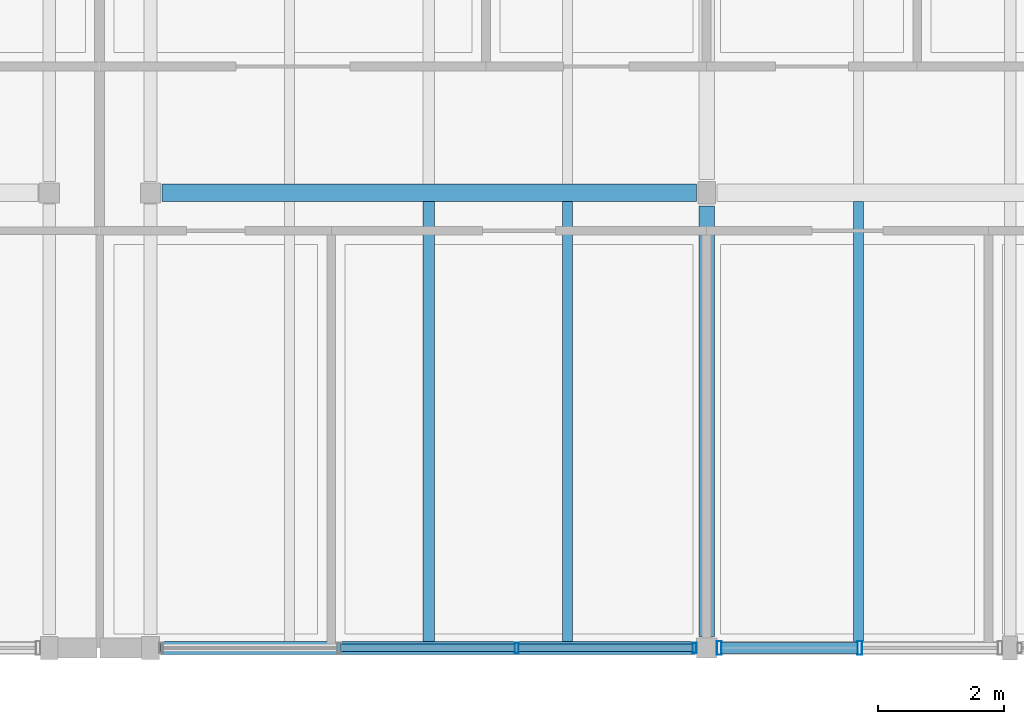
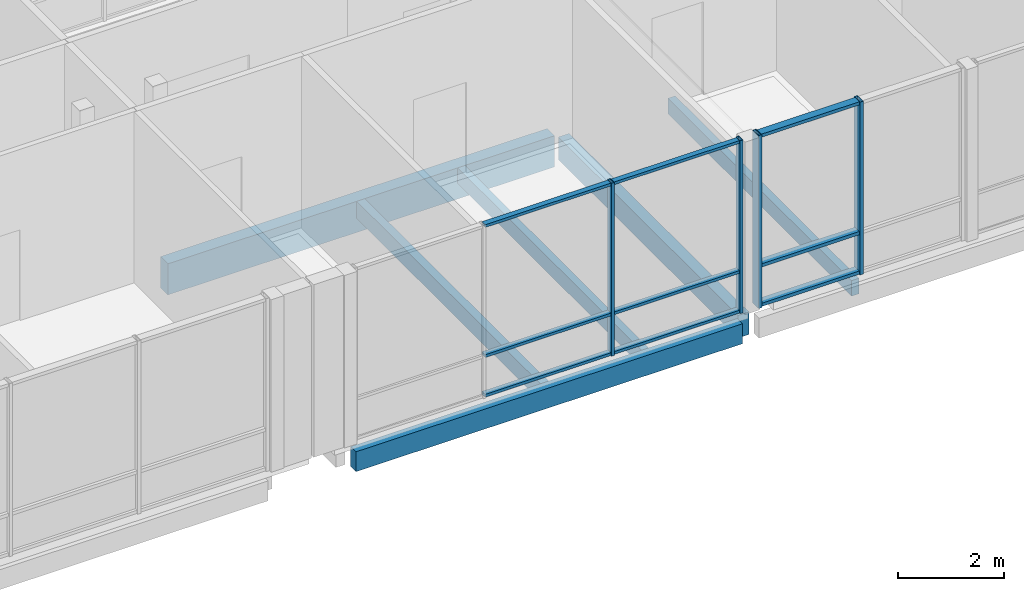
# One storey, part 33 of 115: 13 members, 6 beams, 2 elements without a shape of their own.
"""IFC4 building model written with IfcOpenShell, lengths in metres."""

from ifc_helpers import new_model, si_unit, direction, frame, origin, origin_2d, place, context, subcontext, project, spatial, rectangle, hollow_rectangle, extrude, material, material_profile, profile_set, type_object, element, aggregate, save


model = new_model("IFC4")

# Units and contexts
model_context = context("Model", 3, precision=1e-05, world=origin(), true_north=direction((0.0, 1.0)))
body_context = subcontext(model_context, "Body", "Model", "MODEL_VIEW")
ifc_project = project(units=[si_unit("LENGTHUNIT", "METRE"), si_unit("AREAUNIT", "SQUARE_METRE"), si_unit("VOLUMEUNIT", "CUBIC_METRE"), si_unit("PLANEANGLEUNIT", "RADIAN"), si_unit("MASSUNIT", "GRAM", prefix="KILO")], contexts=[model_context])

# Site, building, storey
site_placement = place(None, origin())
site = spatial("IfcSite", under=ifc_project, at=site_placement, CompositionType="ELEMENT")
building_placement = place(site_placement, origin())
building = spatial("IfcBuilding", under=site, at=building_placement, Name="Hawrajan Terrace Health Centre", CompositionType="ELEMENT")
storey_placement = place(building_placement, frame((0.0, 0.0, 9.0)))
storey = spatial("IfcBuildingStorey", under=building, at=storey_placement, Name="L02", CompositionType="ELEMENT", Elevation=9.0)

# Curtain wall, members
ifc_material_1 = material(Name="Anodized bronze aluminium and low-E solar glazing", Category="aluminium")
curtain_wall_type_1 = type_object("IfcCurtainWallType", Name="CW_Clerestory_SeriesG3", PredefinedType="USERDEFINED", material=ifc_material_1)
curtain_wall_1_placement = place(storey_placement, origin())
curtain_wall_1 = element("IfcCurtainWall", 1, at=curtain_wall_1_placement, inside=storey, type_object=curtain_wall_type_1, Name="Curtain wall CW-L02-138", ObjectType="UNITISED CURTAIN WALL", PredefinedType="USERDEFINED")
ifc_material_2 = material(Name="Anodized bronze aluminium 6063-T6", Category="aluminium")
ifc_material_profile_1 = material_profile(ifc_material_2, hollow_rectangle(XDim=0.06494140625, YDim=0.159912109375, WallThickness=0.00390625, at=origin_2d()), Name="CW MUL 65x160")
ifc_profile_set_1 = profile_set([ifc_material_profile_1], Name="Anodized bronze aluminium 6063-T6")
member_type_1 = type_object("IfcMemberType", Name="CWMullion_65x160", PredefinedType="MULLION", material=ifc_profile_set_1)
member_1_placement = place(storey_placement, frame((78.395751953125, 4.199951171875, -0.0048828125), z_axis=(0.0, 0.0, 1.0), x_axis=(1.0, 0.0, 0.0)))
member_1 = element("IfcMember", 2, at=member_1_placement, type_object=member_type_1, Name="Mullion CW-L02-138-M3", PredefinedType="MULLION", context=body_context, shape_type="SweptSolid", body=[
    extrude(hollow_rectangle(XDim=0.06494140625, YDim=0.159912109375, WallThickness=0.00390625, at=origin_2d()), origin(), (0.0, 0.0, 1.0), 4.0),
])
member_2_placement = place(storey_placement, frame((81.20751953125, 4.199951171875, -0.0048828125), z_axis=(0.0, 0.0, 1.0), x_axis=(1.0, 0.0, 0.0)))
member_2 = element("IfcMember", 3, at=member_2_placement, type_object=member_type_1, Name="Mullion CW-L02-138-M4", PredefinedType="MULLION", context=body_context, shape_type="SweptSolid", body=[
    extrude(hollow_rectangle(XDim=0.06494140625, YDim=0.159912109375, WallThickness=0.00390625, at=origin_2d()), origin(), (0.0, 0.0, 1.0), 4.0),
])

curtain_wall_type_2 = type_object("IfcCurtainWallType", Name="CW_Bridge_SeriesJ1", PredefinedType="USERDEFINED", material=ifc_material_1)
curtain_wall_2_placement = place(storey_placement, origin())
curtain_wall_2 = element("IfcCurtainWall", 4, at=curtain_wall_2_placement, inside=storey, type_object=curtain_wall_type_2, Name="Curtain wall CW-L02-140", ObjectType="UNITISED CURTAIN WALL", PredefinedType="USERDEFINED")
ifc_material_profile_2 = material_profile(ifc_material_2, hollow_rectangle(XDim=0.074951171875, YDim=0.219970703125, WallThickness=0.0048828125, at=origin_2d()), Name="CW MUL 75x220")
ifc_profile_set_2 = profile_set([ifc_material_profile_2], Name="Anodized bronze aluminium 6063-T6")
member_type_2 = type_object("IfcMemberType", Name="CWMullion_75x220", PredefinedType="MULLION", material=ifc_profile_set_2)
member_3_placement = place(storey_placement, frame((81.597412109375, 4.199951171875, -0.0048828125), z_axis=(0.0, 0.0, 1.0), x_axis=(1.0, 0.0, 0.0)))
member_3 = element("IfcMember", 5, at=member_3_placement, type_object=member_type_2, Name="Mullion CW-L02-140-M1", PredefinedType="MULLION", context=body_context, shape_type="SweptSolid", body=[
    extrude(hollow_rectangle(XDim=0.074951171875, YDim=0.219970703125, WallThickness=0.0048828125, at=origin_2d()), origin(), (0.0, 0.0, 1.0), 4.0),
])
member_4_placement = place(storey_placement, frame((83.820068359375, 4.199951171875, -0.0048828125), z_axis=(0.0, 0.0, 1.0), x_axis=(1.0, 0.0, 0.0)))
member_4 = element("IfcMember", 6, at=member_4_placement, type_object=member_type_2, Name="Mullion CW-L02-140-M2", PredefinedType="MULLION", context=body_context, shape_type="SweptSolid", body=[
    extrude(hollow_rectangle(XDim=0.074951171875, YDim=0.219970703125, WallThickness=0.0048828125, at=origin_2d()), origin(), (0.0, 0.0, 1.0), 4.0),
])

# Member
ifc_material_profile_3 = material_profile(ifc_material_2, hollow_rectangle(XDim=0.06494140625, YDim=0.1201171875, WallThickness=0.00341796875, at=origin_2d()), Name="CW TRN 65x120")
ifc_profile_set_3 = profile_set([ifc_material_profile_3], Name="Anodized bronze aluminium 6063-T6")
member_type_3 = type_object("IfcMemberType", Name="CWTransom_65x120", PredefinedType="USERDEFINED", material=ifc_profile_set_3)
member_5_placement = place(storey_placement, frame((75.610595703125, 4.199951171875, 0.032470703125), z_axis=(1.0, 0.0, 0.0), x_axis=(0.0, 0.0, 1.0)))
member_5 = element("IfcMember", 7, at=member_5_placement, type_object=member_type_3, Name="Transom CW-L02-138-T2-1", ObjectType="TRANSOM", PredefinedType="USERDEFINED", context=body_context, shape_type="SweptSolid", body=[
    extrude(hollow_rectangle(XDim=0.06494140625, YDim=0.1201171875, WallThickness=0.00341796875, at=origin_2d()), origin(), (0.0, 0.0, 1.0), 2.7587890625),
])

member_6_placement = place(storey_placement, frame((75.610595703125, 4.199951171875, 0.949951171875), z_axis=(1.0, 0.0, 0.0), x_axis=(0.0, 0.0, 1.0)))
member_6 = element("IfcMember", 8, at=member_6_placement, type_object=member_type_3, Name="Transom CW-L02-138-T2-2", ObjectType="TRANSOM", PredefinedType="USERDEFINED", context=body_context, shape_type="SweptSolid", body=[
    extrude(hollow_rectangle(XDim=0.06494140625, YDim=0.1201171875, WallThickness=0.00341796875, at=origin_2d()), origin(), (0.0, 0.0, 1.0), 2.7587890625),
])

member_7_placement = place(storey_placement, frame((75.610595703125, 4.199951171875, 3.95751953125), z_axis=(1.0, 0.0, 0.0), x_axis=(0.0, 0.0, 1.0)))
member_7 = element("IfcMember", 9, at=member_7_placement, type_object=member_type_3, Name="Transom CW-L02-138-T2-3", ObjectType="TRANSOM", PredefinedType="USERDEFINED", context=body_context, shape_type="SweptSolid", body=[
    extrude(hollow_rectangle(XDim=0.06494140625, YDim=0.1201171875, WallThickness=0.00341796875, at=origin_2d()), origin(), (0.0, 0.0, 1.0), 2.7587890625),
])

member_8_placement = place(storey_placement, frame((78.42236328125, 4.199951171875, 0.032470703125), z_axis=(1.0, 0.0, 0.0), x_axis=(0.0, 0.0, 1.0)))
member_8 = element("IfcMember", 10, at=member_8_placement, type_object=member_type_3, Name="Transom CW-L02-138-T3-1", ObjectType="TRANSOM", PredefinedType="USERDEFINED", context=body_context, shape_type="SweptSolid", body=[
    extrude(hollow_rectangle(XDim=0.06494140625, YDim=0.1201171875, WallThickness=0.00341796875, at=origin_2d()), origin(), (0.0, 0.0, 1.0), 2.758544921875),
])

member_9_placement = place(storey_placement, frame((78.42236328125, 4.199951171875, 0.949951171875), z_axis=(1.0, 0.0, 0.0), x_axis=(0.0, 0.0, 1.0)))
member_9 = element("IfcMember", 11, at=member_9_placement, type_object=member_type_3, Name="Transom CW-L02-138-T3-2", ObjectType="TRANSOM", PredefinedType="USERDEFINED", context=body_context, shape_type="SweptSolid", body=[
    extrude(hollow_rectangle(XDim=0.06494140625, YDim=0.1201171875, WallThickness=0.00341796875, at=origin_2d()), origin(), (0.0, 0.0, 1.0), 2.758544921875),
])

member_10_placement = place(storey_placement, frame((78.42236328125, 4.199951171875, 3.95751953125), z_axis=(1.0, 0.0, 0.0), x_axis=(0.0, 0.0, 1.0)))
member_10 = element("IfcMember", 12, at=member_10_placement, type_object=member_type_3, Name="Transom CW-L02-138-T3-3", ObjectType="TRANSOM", PredefinedType="USERDEFINED", context=body_context, shape_type="SweptSolid", body=[
    extrude(hollow_rectangle(XDim=0.06494140625, YDim=0.1201171875, WallThickness=0.00341796875, at=origin_2d()), origin(), (0.0, 0.0, 1.0), 2.758544921875),
])

aggregate(curtain_wall_1, [member_1, member_2, member_5, member_6, member_7, member_8, member_9, member_10])

ifc_material_profile_4 = material_profile(ifc_material_2, hollow_rectangle(XDim=0.074951171875, YDim=0.169921875, WallThickness=0.00439453125, at=origin_2d()), Name="CW TRN 75x170")
ifc_profile_set_4 = profile_set([ifc_material_profile_4], Name="Anodized bronze aluminium 6063-T6")
member_type_4 = type_object("IfcMemberType", Name="CWTransom_75x170", PredefinedType="USERDEFINED", material=ifc_profile_set_4)
member_11_placement = place(storey_placement, frame((81.62890625, 4.199951171875, 0.03759765625), z_axis=(1.0, 0.0, 0.0), x_axis=(0.0, 0.0, 1.0)))
member_11 = element("IfcMember", 13, at=member_11_placement, type_object=member_type_4, Name="Transom CW-L02-140-T1-1", ObjectType="TRANSOM", PredefinedType="USERDEFINED", context=body_context, shape_type="SweptSolid", body=[
    extrude(hollow_rectangle(XDim=0.074951171875, YDim=0.169921875, WallThickness=0.00439453125, at=origin_2d()), origin(), (0.0, 0.0, 1.0), 2.15966796875),
])

member_12_placement = place(storey_placement, frame((81.62890625, 4.199951171875, 0.949951171875), z_axis=(1.0, 0.0, 0.0), x_axis=(0.0, 0.0, 1.0)))
member_12 = element("IfcMember", 14, at=member_12_placement, type_object=member_type_4, Name="Transom CW-L02-140-T1-2", ObjectType="TRANSOM", PredefinedType="USERDEFINED", context=body_context, shape_type="SweptSolid", body=[
    extrude(hollow_rectangle(XDim=0.074951171875, YDim=0.169921875, WallThickness=0.00439453125, at=origin_2d()), origin(), (0.0, 0.0, 1.0), 2.15966796875),
])

member_13_placement = place(storey_placement, frame((81.62890625, 4.199951171875, 3.952392578125), z_axis=(1.0, 0.0, 0.0), x_axis=(0.0, 0.0, 1.0)))
member_13 = element("IfcMember", 15, at=member_13_placement, type_object=member_type_4, Name="Transom CW-L02-140-T1-3", ObjectType="TRANSOM", PredefinedType="USERDEFINED", context=body_context, shape_type="SweptSolid", body=[
    extrude(hollow_rectangle(XDim=0.074951171875, YDim=0.169921875, WallThickness=0.00439453125, at=origin_2d()), origin(), (0.0, 0.0, 1.0), 2.15966796875),
])

aggregate(curtain_wall_2, [member_3, member_4, member_11, member_12, member_13])

# Beams
ifc_material_3 = material(Name="Glulam GL32h", Category="wood")
ifc_material_profile_5 = material_profile(ifc_material_3, rectangle(XDim=0.239990234375, YDim=0.52001953125, at=origin_2d()), Name="GL BM 240x520")
ifc_profile_set_5 = profile_set([ifc_material_profile_5], Name="Glulam GL32h")
beam_type_1 = type_object("IfcBeamType", Name="GlulamGirder_240x520", PredefinedType="BEAM", material=ifc_profile_set_5)
beam_1_placement = place(storey_placement, frame((81.39990234375, 4.3798828125, -0.5), z_axis=(0.0, 1.0, 0.0), x_axis=(-1.0, 0.0, 0.0)))
element("IfcBeam", 16, at=beam_1_placement, inside=storey, type_object=beam_type_1, Name="Beam BM-Y-L02-C-X11-1", PredefinedType="BEAM", context=body_context, shape_type="SweptSolid", body=[
    extrude(rectangle(XDim=0.239990234375, YDim=0.52001953125, at=origin_2d()), origin(), (0.0, 0.0, 1.0), 6.81005859375),
])
ifc_material_profile_6 = material_profile(ifc_material_3, rectangle(XDim=0.280029296875, YDim=0.719970703125, at=origin_2d()), Name="GL BM 280x720")
ifc_profile_set_6 = profile_set([ifc_material_profile_6], Name="Glulam GL32h")
beam_type_2 = type_object("IfcBeamType", Name="GlulamGirder_280x720", PredefinedType="BEAM", material=ifc_profile_set_6)
beam_2_placement = place(storey_placement, frame((72.780029296875, 11.39990234375, -0.60009765625), z_axis=(1.0, 0.0, 0.0), x_axis=(0.0, 1.0, 0.0)))
element("IfcBeam", 17, at=beam_2_placement, inside=storey, type_object=beam_type_2, Name="Beam BM-X-L02-C-10-Y2", PredefinedType="BEAM", context=body_context, shape_type="SweptSolid", body=[
    extrude(rectangle(XDim=0.280029296875, YDim=0.719970703125, at=origin_2d()), origin(), (0.0, 0.0, 1.0), 8.4599609375),
])
ifc_material_4 = material(Name="Glulam GL28h", Category="wood")
ifc_material_profile_7 = material_profile(ifc_material_4, rectangle(XDim=0.159912109375, YDim=0.360107421875, at=origin_2d()), Name="GL JST 160x360")
ifc_profile_set_7 = profile_set([ifc_material_profile_7], Name="Glulam GL28h")
beam_type_3 = type_object("IfcBeamType", Name="GlulamJoist_160x360", PredefinedType="JOIST", material=ifc_profile_set_7)
for number, where, z_axis, x_axis, name in (
    (18, (79.199951171875, 4.300048828125, -0.419921875), (0.0, 1.0, 0.0), (-1.0, 0.0, 0.0), "Secondary joist JST-L02-C-10-1-3"),
    (19, (83.800048828125, 4.300048828125, -0.419921875), (0.0, 1.0, 0.0), (-1.0, 0.0, 0.0), "Secondary joist JST-L02-C-11-1-1"),
):
    element("IfcBeam", number, at=place(storey_placement, frame(where, z_axis=z_axis, x_axis=x_axis)), inside=storey, type_object=beam_type_3, Name=name, PredefinedType="JOIST", context=body_context, shape_type="SweptSolid", body=[
        extrude(rectangle(XDim=0.159912109375, YDim=0.360107421875, at=origin_2d()), origin(), (0.0, 0.0, 1.0), 6.9599609375),
    ])
ifc_material_profile_8 = material_profile(ifc_material_4, rectangle(XDim=0.179931640625, YDim=0.39990234375, at=origin_2d()), Name="GL JST 180x400")
ifc_profile_set_8 = profile_set([ifc_material_profile_8], Name="Glulam GL28h")
beam_type_4 = type_object("IfcBeamType", Name="GlulamJoist_180x400", PredefinedType="JOIST", material=ifc_profile_set_8)
beam_3_placement = place(storey_placement, frame((77.0, 4.300048828125, -0.43994140625), z_axis=(0.0, 1.0, 0.0), x_axis=(-1.0, 0.0, 0.0)))
element("IfcBeam", 20, at=beam_3_placement, inside=storey, type_object=beam_type_4, Name="Secondary joist JST-L02-C-10-1-2", PredefinedType="JOIST", context=body_context, shape_type="SweptSolid", body=[
    extrude(rectangle(XDim=0.179931640625, YDim=0.39990234375, at=origin_2d()), origin(), (0.0, 0.0, 1.0), 6.9599609375),
])
ifc_material_profile_9 = material_profile(ifc_material_3, rectangle(XDim=0.199951171875, YDim=0.4599609375, at=origin_2d()), Name="GL SP 200x460")
ifc_profile_set_9 = profile_set([ifc_material_profile_9], Name="Glulam GL32h")
beam_type_5 = type_object("IfcBeamType", Name="GlulamSpandrel_200x460", PredefinedType="SPANDREL", material=ifc_profile_set_9)
beam_4_placement = place(storey_placement, frame((72.760009765625, 4.199951171875, -0.469970703125), z_axis=(1.0, 0.0, 0.0), x_axis=(0.0, 1.0, 0.0)))
element("IfcBeam", 21, at=beam_4_placement, inside=storey, type_object=beam_type_5, Name="Beam BM-X-L02-C-10-Y1", PredefinedType="SPANDREL", context=body_context, shape_type="SweptSolid", body=[
    extrude(rectangle(XDim=0.199951171875, YDim=0.4599609375, at=origin_2d()), origin(), (0.0, 0.0, 1.0), 8.4599609375),
])

save(model, "model.ifc")
